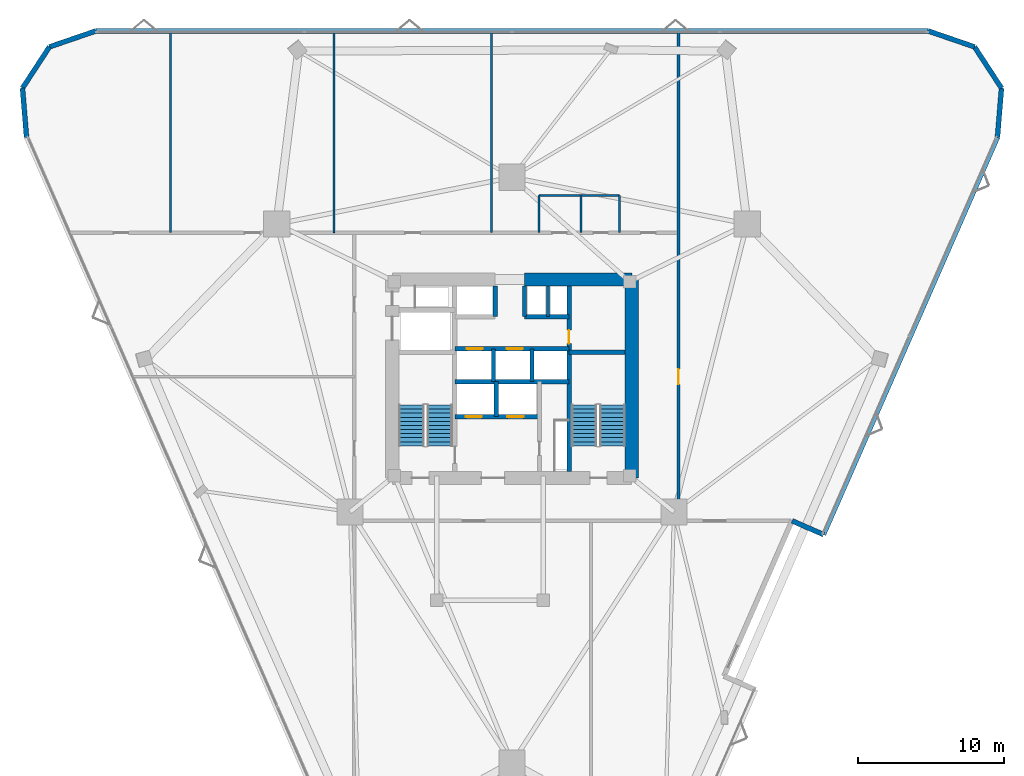
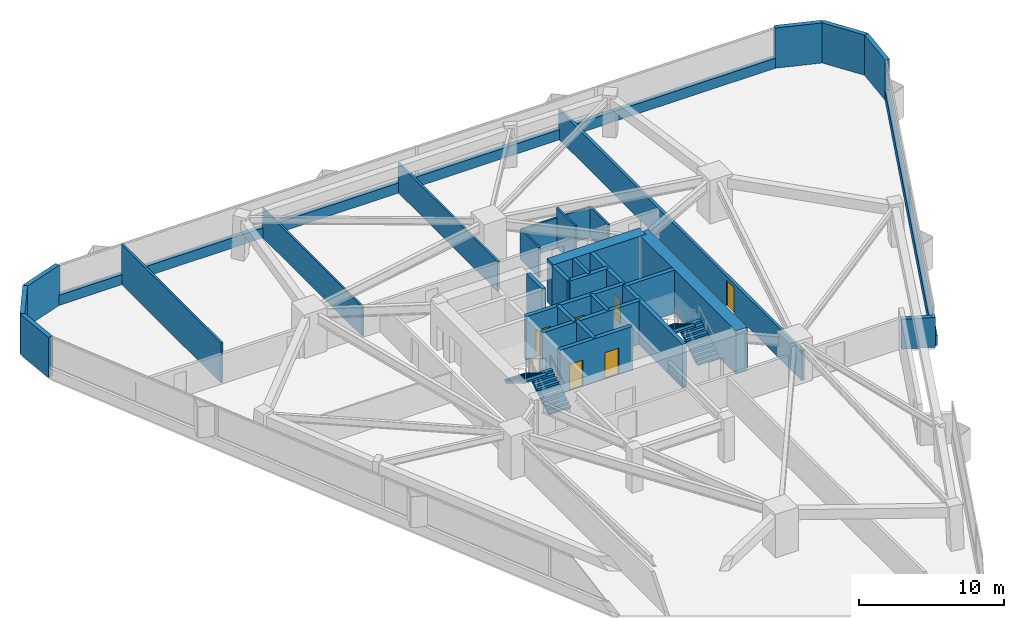
# One storey, part 13 of 14: 31 walls, 6 doors, 4 stair flights, 6 openings, 2 elements without a shape of their own.
"""IFC4 building model written with IfcOpenShell, lengths in metres."""

from ifc_helpers import new_model, si_unit, direction, frame, frame_2d, origin, place, context, subcontext, project, spatial, polyline, rectangle, outline, extrude, material, layer, layer_set, type_object, element, fill, aggregate, save


model = new_model("IFC4")

# Units and contexts
model_context = context("Model", 3, precision=1e-05, world=origin(), true_north=direction((0.0, 1.0)))
body_context = subcontext(model_context, "Body", "Model", "MODEL_VIEW")
ifc_project = project(units=[si_unit("LENGTHUNIT", "METRE"), si_unit("AREAUNIT", "SQUARE_METRE"), si_unit("VOLUMEUNIT", "CUBIC_METRE"), si_unit("PLANEANGLEUNIT", "RADIAN"), si_unit("MASSUNIT", "GRAM", prefix="KILO")], contexts=[model_context])

# Site, building, storey
site_placement = place(None, origin())
site = spatial("IfcSite", under=ifc_project, at=site_placement, CompositionType="ELEMENT")
building_placement = place(site_placement, origin())
building = spatial("IfcBuilding", under=site, at=building_placement, Name="Talyreon Biosciences Tower", CompositionType="ELEMENT")
storey_placement = place(building_placement, frame((0.0, 0.0, 52.0)))
storey = spatial("IfcBuildingStorey", under=building, at=storey_placement, Name="L13", CompositionType="ELEMENT", Elevation=52.0)

# Walls
ifc_material_1 = material(Name="Concrete C50/60", Category="concrete")
ifc_layer_1 = layer(ifc_material_1, 0.219970703125)
ifc_layer_set_1 = layer_set([ifc_layer_1], Name="Concrete C50/60")
wall_type_1 = type_object("IfcWallType", Name="CoreShearWall_220", PredefinedType="SHEAR", material=ifc_layer_set_1)
wall_1_placement = place(storey_placement, frame((68.4599609375, 72.25, 0.0), z_axis=(0.0, 0.0, 1.0), x_axis=(0.0, 1.0, 0.0)))
element("IfcWall", 1, at=wall_1_placement, inside=storey, type_object=wall_type_1, Name="L13 Core Shaft Wall SWPHD", PredefinedType="SHEAR", context=body_context, shape_type="SweptSolid", body=[
    extrude(rectangle(XDim=2.10009765625, YDim=0.219970703125, at=frame_2d((1.050048828125, 0.0))), origin(), (0.0, 0.0, 1.0), 3.64990234375),
])
ifc_layer_2 = layer(ifc_material_1, 0.280029296875)
ifc_layer_set_2 = layer_set([ifc_layer_2], Name="Concrete C50/60")
wall_type_2 = type_object("IfcWallType", Name="CoreShearWall_280", PredefinedType="SHEAR", material=ifc_layer_set_2)
wall_2_placement = place(storey_placement, frame((64.919921875, 65.39990234375, 0.0), z_axis=(0.0, 0.0, 1.0), x_axis=(0.0, 1.0, 0.0)))
element("IfcWall", 2, at=wall_2_placement, inside=storey, type_object=wall_type_2, Name="L13 Core Shaft Wall SWSHD1", PredefinedType="SHEAR", context=body_context, shape_type="SweptSolid", body=[
    extrude(rectangle(XDim=2.400146484375, YDim=0.280029296875, at=frame_2d((1.2001953125, 0.0))), origin(), (0.0, 0.0, 1.0), 3.64990234375),
])
for number, where, z_axis, x_axis, name in (
    (3, (64.85009765625, 72.25, 0.0), (0.0, 0.0, 1.0), (0.0, 1.0, 0.0), "L13 Core Shaft Wall SWTHW"),
    (4, (66.85009765625, 72.25, 0.0), (0.0, 0.0, 1.0), (0.0, 1.0, 0.0), "L13 Core Shaft Wall SWTHE"),
):
    element("IfcWall", number, at=place(storey_placement, frame(where, z_axis=z_axis, x_axis=x_axis)), inside=storey, type_object=wall_type_2, Name=name, PredefinedType="SHEAR", context=body_context, shape_type="SweptSolid", body=[
        extrude(rectangle(XDim=2.10009765625, YDim=0.280029296875, at=frame_2d((1.050048828125, 0.0))), origin(), (0.0, 0.0, 1.0), 3.64990234375),
    ])
for number, where, z_axis, x_axis, name in (
    (5, (64.719970703125, 67.800048828125, 0.0), (0.0, 0.0, 1.0), (0.0, 1.0, 0.0), "L13 Core Shaft Wall SWPLD"),
    (6, (67.3798828125, 67.800048828125, 0.0), (0.0, 0.0, 1.0), (0.0, 1.0, 0.0), "L13 Core Shaft Wall SWPMD"),
):
    element("IfcWall", number, at=place(storey_placement, frame(where, z_axis=z_axis, x_axis=x_axis)), inside=storey, type_object=wall_type_2, Name=name, PredefinedType="SHEAR", context=body_context, shape_type="SweptSolid", body=[
        extrude(rectangle(XDim=2.25, YDim=0.280029296875, at=frame_2d((1.125, 0.0))), origin(), (0.0, 0.0, 1.0), 3.64990234375),
    ])

# Wall, opening, door
ifc_layer_3 = layer(ifc_material_1, 0.320068359375)
ifc_layer_set_3 = layer_set([ifc_layer_3], Name="Concrete C50/60")
wall_type_3 = type_object("IfcWallType", Name="CoreShearWall_320", PredefinedType="SHEAR", material=ifc_layer_set_3)
wall_3_placement = place(storey_placement, frame((69.909912109375, 61.64990234375, 0.0), z_axis=(0.0, 0.0, 1.0), x_axis=(0.0, 1.0, 0.0)))
wall_3 = element("IfcWall", 7, at=wall_3_placement, inside=storey, type_object=wall_type_3, Name="L13 Core Shaft Wall SW2W", PredefinedType="SHEAR", context=body_context, shape_type="SweptSolid", body=[
    extrude(rectangle(XDim=12.7001953125, YDim=0.320068359375, at=frame_2d((6.35009765625, 0.0))), origin(), (0.0, 0.0, 1.0), 3.64990234375),
])
opening_1_placement = place(wall_3_placement, frame((8.75, 0.0, 0.0)))
opening_1 = element("IfcOpeningElement", 8, at=opening_1_placement, cuts=wall_3, Name="Opening DR-L13-CSRV", PredefinedType="OPENING", context=body_context, shape_type="SweptSolid", body=[
    extrude(rectangle(XDim=0.919921875, YDim=2.050048828125, at=frame_2d((0.4599609375, 1.02490234375))), frame((0.0, 0.169921875, 0.0), z_axis=(0.0, -1.0, 0.0), x_axis=(1.0, 0.0, 0.0)), (0.0, 0.0, 1.0), 0.340087890625),
])
ifc_material_2 = material(Name="Painted steel fire-rated riser door", Category="steel")
door_type_1 = type_object("IfcDoorType", Name="RiserPlantAccessDoor_920x2050", OperationType="NOTDEFINED", PredefinedType="DOOR", material=ifc_material_2)
door_1_placement = place(opening_1_placement, origin())
door_1 = element("IfcDoor", 9, at=door_1_placement, inside=storey, type_object=door_type_1, Name="L13 Core Door DR-L13-CSRV", OperationType="SINGLE_SWING_RIGHT", OverallHeight=2.050048828125, OverallWidth=0.919921875, PredefinedType="DOOR", context=body_context, shape_type="SweptSolid", body=[
    extrude(rectangle(XDim=0.919921875, YDim=2.050048828125, at=frame_2d((0.4599609375, 1.02490234375))), frame((0.0, 0.02490234375, 0.0), z_axis=(0.0, -1.0, 0.0), x_axis=(1.0, 0.0, 0.0)), (0.0, 0.0, 1.0), 0.050048828125),
])
fill(opening_1, door_1)

# Walls
wall_4_placement = place(storey_placement, frame((69.909912109375, 69.81005859375, 0.0), z_axis=(0.0, 0.0, 1.0), x_axis=(1.0, 0.0, 0.0)))
element("IfcWall", 10, at=wall_4_placement, inside=storey, type_object=wall_type_3, Name="L13 Core Shaft Wall SW2N", PredefinedType="SHEAR", context=body_context, shape_type="SweptSolid", body=[
    extrude(rectangle(XDim=3.840087890625, YDim=0.320068359375, at=frame_2d((1.919921875, 0.0))), origin(), (0.0, 0.0, 1.0), 3.64990234375),
])
wall_5_placement = place(storey_placement, frame((62.090087890625, 67.800048828125, 0.0), z_axis=(0.0, 0.0, 1.0), x_axis=(1.0, 0.0, 0.0)))
element("IfcWall", 11, at=wall_5_placement, inside=storey, type_object=wall_type_3, Name="L13 Core Shaft Wall SWSHM", PredefinedType="SHEAR", context=body_context, shape_type="SweptSolid", body=[
    extrude(rectangle(XDim=7.81982421875, YDim=0.320068359375, at=frame_2d((3.909912109375, 0.0))), origin(), (0.0, 0.0, 1.0), 3.64990234375),
])

# Wall, openings, doors
wall_6_placement = place(storey_placement, frame((62.090087890625, 70.050048828125, 0.0), z_axis=(0.0, 0.0, 1.0), x_axis=(1.0, 0.0, 0.0)))
wall_6 = element("IfcWall", 12, at=wall_6_placement, inside=storey, type_object=wall_type_3, Name="L13 Core Shaft Wall SWSPN", PredefinedType="SHEAR", context=body_context, shape_type="SweptSolid", body=[
    extrude(rectangle(XDim=7.81982421875, YDim=0.320068359375, at=frame_2d((3.909912109375, 0.0))), origin(), (0.0, 0.0, 1.0), 3.64990234375),
])
opening_2_placement = place(wall_6_placement, frame((0.800048828125, 0.0, 0.0)))
opening_2 = element("IfcOpeningElement", 13, at=opening_2_placement, cuts=wall_6, Name="Opening LD-L13-PL1", PredefinedType="OPENING", context=body_context, shape_type="SweptSolid", body=[
    extrude(rectangle(XDim=1.10009765625, YDim=2.199951171875, at=frame_2d((0.550048828125, 1.10009765625))), frame((0.0, 0.169921875, 0.0), z_axis=(0.0, -1.0, 0.0), x_axis=(1.0, 0.0, 0.0)), (0.0, 0.0, 1.0), 0.340087890625),
])
opening_3_placement = place(wall_6_placement, frame((3.550048828125, 0.0, 0.0)))
opening_3 = element("IfcOpeningElement", 14, at=opening_3_placement, cuts=wall_6, Name="Opening LD-L13-PL2", PredefinedType="OPENING", context=body_context, shape_type="SweptSolid", body=[
    extrude(rectangle(XDim=1.10009765625, YDim=2.199951171875, at=frame_2d((0.550048828125, 1.10009765625))), frame((0.0, 0.169921875, 0.0), z_axis=(0.0, -1.0, 0.0), x_axis=(1.0, 0.0, 0.0)), (0.0, 0.0, 1.0), 0.340087890625),
])
ifc_material_3 = material(Name="Brushed stainless-steel lift landing door", Category="steel")
door_type_2 = type_object("IfcDoorType", Name="LiftSlidingLandingDoor_1100x2200", OperationType="SLIDING_TO_LEFT", PredefinedType="DOOR", material=ifc_material_3)
door_2_placement = place(opening_2_placement, origin())
door_2 = element("IfcDoor", 15, at=door_2_placement, inside=storey, type_object=door_type_2, Name="L13 Core Door LD-L13-PL1", OperationType="SLIDING_TO_LEFT", OverallHeight=2.199951171875, OverallWidth=1.10009765625, PredefinedType="DOOR", context=body_context, shape_type="SweptSolid", body=[
    extrude(rectangle(XDim=1.10009765625, YDim=2.199951171875, at=frame_2d((0.550048828125, 1.10009765625))), frame((0.0, 0.02490234375, 0.0), z_axis=(0.0, -1.0, 0.0), x_axis=(1.0, 0.0, 0.0)), (0.0, 0.0, 1.0), 0.050048828125),
])
fill(opening_2, door_2)
door_3_placement = place(opening_3_placement, origin())
door_3 = element("IfcDoor", 16, at=door_3_placement, inside=storey, type_object=door_type_2, Name="L13 Core Door LD-L13-PL2", OperationType="SLIDING_TO_LEFT", OverallHeight=2.199951171875, OverallWidth=1.10009765625, PredefinedType="DOOR", context=body_context, shape_type="SweptSolid", body=[
    extrude(rectangle(XDim=1.10009765625, YDim=2.199951171875, at=frame_2d((0.550048828125, 1.10009765625))), frame((0.0, 0.02490234375, 0.0), z_axis=(0.0, -1.0, 0.0), x_axis=(1.0, 0.0, 0.0)), (0.0, 0.0, 1.0), 0.050048828125),
])
fill(opening_3, door_3)

# Wall
wall_7_placement = place(storey_placement, frame((66.85009765625, 72.25, 0.0), z_axis=(0.0, 0.0, 1.0), x_axis=(1.0, 0.0, 0.0)))
element("IfcWall", 17, at=wall_7_placement, inside=storey, type_object=wall_type_3, Name="L13 Core Shaft Wall SWNPE", PredefinedType="SHEAR", context=body_context, shape_type="SweptSolid", body=[
    extrude(rectangle(XDim=3.059814453125, YDim=0.320068359375, at=frame_2d((1.52978515625, 0.0))), origin(), (0.0, 0.0, 1.0), 3.64990234375),
])

# Wall, openings, doors
wall_8_placement = place(storey_placement, frame((62.090087890625, 65.39990234375, 0.0), z_axis=(0.0, 0.0, 1.0), x_axis=(1.0, 0.0, 0.0)))
wall_8 = element("IfcWall", 18, at=wall_8_placement, inside=storey, type_object=wall_type_3, Name="L13 Core Shaft Wall SWFFN", PredefinedType="SHEAR", context=body_context, shape_type="SweptSolid", body=[
    extrude(rectangle(XDim=5.789794921875, YDim=0.320068359375, at=frame_2d((2.89501953125, 0.0))), origin(), (0.0, 0.0, 1.0), 3.64990234375),
])
opening_4_placement = place(wall_8_placement, frame((0.75, 0.0, 0.0)))
opening_4 = element("IfcOpeningElement", 19, at=opening_4_placement, cuts=wall_8, Name="Opening LD-L13-FL1", PredefinedType="OPENING", context=body_context, shape_type="SweptSolid", body=[
    extrude(rectangle(XDim=1.10009765625, YDim=2.199951171875, at=frame_2d((0.550048828125, 1.10009765625))), frame((0.0, 0.169921875, 0.0), z_axis=(0.0, -1.0, 0.0), x_axis=(1.0, 0.0, 0.0)), (0.0, 0.0, 1.0), 0.340087890625),
])
opening_5_placement = place(wall_8_placement, frame((3.60009765625, 0.0, 0.0)))
opening_5 = element("IfcOpeningElement", 20, at=opening_5_placement, cuts=wall_8, Name="Opening LD-L13-FL2", PredefinedType="OPENING", context=body_context, shape_type="SweptSolid", body=[
    extrude(rectangle(XDim=1.10009765625, YDim=2.199951171875, at=frame_2d((0.550048828125, 1.10009765625))), frame((0.0, 0.169921875, 0.0), z_axis=(0.0, -1.0, 0.0), x_axis=(1.0, 0.0, 0.0)), (0.0, 0.0, 1.0), 0.340087890625),
])
door_4_placement = place(opening_4_placement, origin())
door_4 = element("IfcDoor", 21, at=door_4_placement, inside=storey, type_object=door_type_2, Name="L13 Core Door LD-L13-FL1", OperationType="SLIDING_TO_LEFT", OverallHeight=2.199951171875, OverallWidth=1.10009765625, PredefinedType="DOOR", context=body_context, shape_type="SweptSolid", body=[
    extrude(rectangle(XDim=1.10009765625, YDim=2.199951171875, at=frame_2d((0.550048828125, 1.10009765625))), frame((0.0, 0.02490234375, 0.0), z_axis=(0.0, -1.0, 0.0), x_axis=(1.0, 0.0, 0.0)), (0.0, 0.0, 1.0), 0.050048828125),
])
fill(opening_4, door_4)
door_5_placement = place(opening_5_placement, origin())
door_5 = element("IfcDoor", 22, at=door_5_placement, inside=storey, type_object=door_type_2, Name="L13 Core Door LD-L13-FL2", OperationType="SLIDING_TO_LEFT", OverallHeight=2.199951171875, OverallWidth=1.10009765625, PredefinedType="DOOR", context=body_context, shape_type="SweptSolid", body=[
    extrude(rectangle(XDim=1.10009765625, YDim=2.199951171875, at=frame_2d((0.550048828125, 1.10009765625))), frame((0.0, 0.02490234375, 0.0), z_axis=(0.0, -1.0, 0.0), x_axis=(1.0, 0.0, 0.0)), (0.0, 0.0, 1.0), 0.050048828125),
])
fill(opening_5, door_5)

# Walls
ifc_material_4 = material(Name="Concrete C60/75", Category="concrete")
ifc_layer_4 = layer(ifc_material_4, 0.89990234375)
ifc_layer_set_4 = layer_set([ifc_layer_4], Name="Concrete C60/75")
wall_type_4 = type_object("IfcWallType", Name="CoreShearWall_900", PredefinedType="SHEAR", material=ifc_layer_set_4)
wall_9_placement = place(storey_placement, frame((74.199951171875, 61.199951171875, 0.0), z_axis=(0.0, 0.0, 1.0), x_axis=(0.0, 1.0, 0.0)))
element("IfcWall", 23, at=wall_9_placement, inside=storey, type_object=wall_type_4, Name="L13 Core Shear Wall E", PredefinedType="SHEAR", context=body_context, shape_type="SweptSolid", body=[
    extrude(rectangle(XDim=13.60009765625, YDim=0.89990234375, at=frame_2d((6.800048828125, 0.0))), origin(), (0.0, 0.0, 1.0), 3.64990234375),
])
wall_10_placement = place(storey_placement, frame((74.199951171875, 74.800048828125, 0.0), z_axis=(0.0, 0.0, 1.0), x_axis=(-1.0, 0.0, 0.0)))
element("IfcWall", 24, at=wall_10_placement, inside=storey, type_object=wall_type_4, Name="L13 Core Shear Wall NE", PredefinedType="SHEAR", context=body_context, shape_type="SweptSolid", body=[
    extrude(rectangle(XDim=7.349853515625, YDim=0.89990234375, at=frame_2d((3.6748046875, 0.0))), origin(), (0.0, 0.0, 1.0), 3.64990234375),
])

# Wall, opening, door
ifc_material_5 = material(Name="Gypsum fireboard acoustic stud", Category="gypsum")
ifc_layer_5 = layer(ifc_material_5, 0.219970703125)
ifc_layer_set_5 = layer_set([ifc_layer_5], Name="Gypsum fireboard acoustic stud")
wall_type_5 = type_object("IfcWallType", Name="CorridorRatedPartition_220", PredefinedType="PARTITIONING", material=ifc_layer_set_5)
wall_11_placement = place(storey_placement, frame((77.39990234375, 58.280029296875, 0.0), z_axis=(0.0, 0.0, 1.0), x_axis=(0.0, 1.0, 0.0)))
wall_11 = element("IfcWall", 25, at=wall_11_placement, inside=storey, type_object=wall_type_5, Name="L13 Interior Wall IW-L13-COR-E", PredefinedType="PARTITIONING", context=body_context, shape_type="SweptSolid", body=[
    extrude(rectangle(XDim=33.45556640625, YDim=0.219970703125, at=frame_2d((16.727783203125, 0.0))), origin(), (0.0, 0.0, 1.0), 2.5048828125),
])
opening_6_placement = place(wall_11_placement, frame((9.3349609375, 0.0, 0.0)))
opening_6 = element("IfcOpeningElement", 26, at=opening_6_placement, cuts=wall_11, Name="Opening DR-L13-E1A", PredefinedType="OPENING", context=body_context, shape_type="SweptSolid", body=[
    extrude(rectangle(XDim=1.050048828125, YDim=2.14990234375, at=frame_2d((0.52490234375, 1.074951171875))), frame((0.0, 0.119873046875, 0.0), z_axis=(0.0, -1.0, 0.0), x_axis=(1.0, 0.0, 0.0)), (0.0, 0.0, 1.0), 0.239990234375),
])
ifc_material_6 = material(Name="Acoustic timber-core laboratory door", Category="wood")
door_type_3 = type_object("IfcDoorType", Name="DryLabSingleDoor_1050x2150", OperationType="NOTDEFINED", PredefinedType="DOOR", material=ifc_material_6)
door_6_placement = place(opening_6_placement, origin())
door_6 = element("IfcDoor", 27, at=door_6_placement, inside=storey, type_object=door_type_3, Name="L13 Interior Door DR-L13-E1A", OperationType="SINGLE_SWING_RIGHT", OverallHeight=2.14990234375, OverallWidth=1.050048828125, PredefinedType="DOOR", context=body_context, shape_type="SweptSolid", body=[
    extrude(rectangle(XDim=1.050048828125, YDim=2.14990234375, at=frame_2d((0.52490234375, 1.074951171875))), frame((0.0, 0.02490234375, 0.0), z_axis=(0.0, -1.0, 0.0), x_axis=(1.0, 0.0, 0.0)), (0.0, 0.0, 1.0), 0.050048828125),
])
fill(opening_6, door_6)

# Walls
ifc_material_7 = material(Name="Gypsum acoustic stud partition", Category="gypsum")
ifc_layer_6 = layer(ifc_material_7, 0.159912109375)
ifc_layer_set_6 = layer_set([ifc_layer_6], Name="Gypsum acoustic stud partition")
wall_type_6 = type_object("IfcWallType", Name="LabSeparationPartition_160", PredefinedType="PARTITIONING", material=ifc_layer_set_6)
wall_12_placement = place(storey_placement, frame((42.616943359375, 78.0, 0.0), z_axis=(0.0, 0.0, 1.0), x_axis=(0.0, 1.0, 0.0)))
element("IfcWall", 28, at=wall_12_placement, inside=storey, type_object=wall_type_6, Name="L13 Interior Wall IW-L13-NDIV1", PredefinedType="PARTITIONING", context=body_context, shape_type="SweptSolid", body=[
    extrude(rectangle(XDim=13.735595703125, YDim=0.159912109375, at=frame_2d((6.86767578125, 0.0))), origin(), (0.0, 0.0, 1.0), 3.375),
])
wall_13_placement = place(storey_placement, frame((64.60009765625, 78.0, 0.0), z_axis=(0.0, 0.0, 1.0), x_axis=(0.0, 1.0, 0.0)))
element("IfcWall", 29, at=wall_13_placement, inside=storey, type_object=wall_type_6, Name="L13 Interior Wall IW-L13-NDIV3", PredefinedType="PARTITIONING", context=body_context, shape_type="SweptSolid", body=[
    extrude(rectangle(XDim=13.735595703125, YDim=0.159912109375, at=frame_2d((6.86767578125, 0.0))), origin(), (0.0, 0.0, 1.0), 2.5048828125),
])
ifc_layer_7 = layer(ifc_material_7, 0.1298828125)
ifc_layer_set_7 = layer_set([ifc_layer_7], Name="Gypsum acoustic stud partition")
wall_type_7 = type_object("IfcWallType", Name="OfficeWriteupPartition_130", PredefinedType="PARTITIONING", material=ifc_layer_set_7)
wall_14_placement = place(storey_placement, frame((53.81103515625, 78.0, 0.0), z_axis=(0.0, 0.0, 1.0), x_axis=(0.0, 1.0, 0.0)))
element("IfcWall", 30, at=wall_14_placement, inside=storey, type_object=wall_type_7, Name="L13 Interior Wall IW-L13-NDIV2", PredefinedType="PARTITIONING", context=body_context, shape_type="SweptSolid", body=[
    extrude(rectangle(XDim=13.735595703125, YDim=0.1298828125, at=frame_2d((6.86767578125, 0.0))), origin(), (0.0, 0.0, 1.0), 2.5048828125),
])
ifc_material_8 = material(Name="Precast concrete C45/55", Category="concrete")
ifc_layer_8 = layer(ifc_material_8, 0.340087890625)
ifc_layer_set_8 = layer_set([ifc_layer_8], Name="Precast concrete C45/55")
wall_type_8 = type_object("IfcWallType", Name="PrecastConcreteSpandrelWall_340", PredefinedType="STANDARD", material=ifc_layer_set_8)
wall_15_placement = place(storey_placement, frame((32.755859375, 84.534912109375, 0.0), z_axis=(0.0, 0.0, 1.0), x_axis=(-0.082010022953, 0.996631504687, 0.0)))
element("IfcWall", 31, at=wall_15_placement, inside=storey, type_object=wall_type_8, Name="L13 Rounded-Corner Concrete Pier 00", PredefinedType="STANDARD", context=body_context, shape_type="SweptSolid", body=[
    extrude(rectangle(XDim=3.3759765625, YDim=0.340087890625, at=frame_2d((1.68798828125, 0.0))), origin(), (0.0, 0.0, 1.0), 3.375),
])
wall_16_placement = place(storey_placement, frame((32.47900390625, 87.8994140625, 0.0), z_axis=(0.0, 0.0, 1.0), x_axis=(0.547200646652, 0.837001464935, 0.0)))
element("IfcWall", 32, at=wall_16_placement, inside=storey, type_object=wall_type_8, Name="L13 Rounded-Corner Concrete Pier 01", PredefinedType="STANDARD", context=body_context, shape_type="SweptSolid", body=[
    extrude(rectangle(XDim=3.375732421875, YDim=0.340087890625, at=frame_2d((1.68798828125, 0.0))), origin(), (0.0, 0.0, 1.0), 3.375),
])
wall_17_placement = place(storey_placement, frame((34.326171875, 90.724853515625, 0.0), z_axis=(0.0, 0.0, 1.0), x_axis=(0.945840034207, 0.324633069314, 0.0)))
element("IfcWall", 33, at=wall_17_placement, inside=storey, type_object=wall_type_8, Name="L13 Rounded-Corner Concrete Pier 02", PredefinedType="STANDARD", context=body_context, shape_type="SweptSolid", body=[
    extrude(rectangle(XDim=3.3759765625, YDim=0.340087890625, at=frame_2d((1.68798828125, 0.0))), origin(), (0.0, 0.0, 1.0), 3.375),
])
wall_18_placement = place(storey_placement, frame((37.519287109375, 91.82080078125, 0.0), z_axis=(0.0, 0.0, 1.0), x_axis=(1.0, 0.0, 0.0)))
element("IfcWall", 34, at=wall_18_placement, inside=storey, type_object=wall_type_8, Name="L13 Expressed Concrete Sill Wall 03", PredefinedType="STANDARD", context=body_context, shape_type="SweptSolid", body=[
    extrude(rectangle(XDim=56.96142578125, YDim=0.340087890625, at=frame_2d((28.480712890625, 0.0))), origin(), (0.0, 0.0, 1.0), 0.85009765625),
])
wall_19_placement = place(storey_placement, frame((94.480712890625, 91.82080078125, 0.0), z_axis=(0.0, 0.0, 1.0), x_axis=(0.945840034207, -0.324633069314, 0.0)))
element("IfcWall", 35, at=wall_19_placement, inside=storey, type_object=wall_type_8, Name="L13 Rounded-Corner Concrete Pier 04", PredefinedType="STANDARD", context=body_context, shape_type="SweptSolid", body=[
    extrude(rectangle(XDim=3.3759765625, YDim=0.340087890625, at=frame_2d((1.68798828125, 0.0))), origin(), (0.0, 0.0, 1.0), 3.375),
])
wall_20_placement = place(storey_placement, frame((97.673828125, 90.724853515625, 0.0), z_axis=(0.0, 0.0, 1.0), x_axis=(0.547200646652, -0.837001464935, 0.0)))
element("IfcWall", 36, at=wall_20_placement, inside=storey, type_object=wall_type_8, Name="L13 Rounded-Corner Concrete Pier 05", PredefinedType="STANDARD", context=body_context, shape_type="SweptSolid", body=[
    extrude(rectangle(XDim=3.375732421875, YDim=0.340087890625, at=frame_2d((1.68798828125, 0.0))), origin(), (0.0, 0.0, 1.0), 3.375),
])
wall_21_placement = place(storey_placement, frame((99.52099609375, 87.8994140625, 0.0), z_axis=(0.0, 0.0, 1.0), x_axis=(-0.082010022953, -0.996631504687, 0.0)))
element("IfcWall", 37, at=wall_21_placement, inside=storey, type_object=wall_type_8, Name="L13 Rounded-Corner Concrete Pier 06", PredefinedType="STANDARD", context=body_context, shape_type="SweptSolid", body=[
    extrude(rectangle(XDim=3.3759765625, YDim=0.340087890625, at=frame_2d((1.68798828125, 0.0))), origin(), (0.0, 0.0, 1.0), 3.375),
])
wall_22_placement = place(storey_placement, frame((99.244140625, 84.534912109375, 0.0), z_axis=(0.0, 0.0, 1.0), x_axis=(-0.401102097931, -0.916033354761, 0.0)))
element("IfcWall", 38, at=wall_22_placement, inside=storey, type_object=wall_type_8, Name="L13 Expressed Concrete Sill Wall 07", PredefinedType="STANDARD", context=body_context, shape_type="SweptSolid", body=[
    extrude(rectangle(XDim=29.703369140625, YDim=0.340087890625, at=frame_2d((14.8515625, 0.0))), origin(), (0.0, 0.0, 1.0), 0.85009765625),
])
wall_23_placement = place(storey_placement, frame((87.330078125, 57.32568359375, 0.0), z_axis=(0.0, 0.0, 1.0), x_axis=(-0.916059542308, 0.401042285733, 0.0)))
element("IfcWall", 39, at=wall_23_placement, inside=storey, type_object=wall_type_8, Name="L13 Terrace Backing Concrete Wall 08", PredefinedType="STANDARD", context=body_context, shape_type="SweptSolid", body=[
    extrude(rectangle(XDim=2.349853515625, YDim=0.340087890625, at=frame_2d((1.1748046875, 0.0))), origin(), (0.0, 0.0, 1.0), 2.5048828125),
])
ifc_material_9 = material(Name="Moisture-resistant cement-board stud", Category="gypsum")
ifc_layer_9 = layer(ifc_material_9, 0.14501953125)
ifc_layer_set_9 = layer_set([ifc_layer_9], Name="Moisture-resistant cement-board stud")
wall_type_9 = type_object("IfcWallType", Name="WetRoomPartition_145", PredefinedType="PARTITIONING", material=ifc_layer_set_9)
wall_24_placement = place(storey_placement, frame((67.85009765625, 78.0, 0.0), z_axis=(0.0, 0.0, 1.0), x_axis=(0.0, 1.0, 0.0)))
element("IfcWall", 40, at=wall_24_placement, inside=storey, type_object=wall_type_9, Name="L13 Interior Wall IW-L13-WCL", PredefinedType="PARTITIONING", context=body_context, shape_type="SweptSolid", body=[
    extrude(rectangle(XDim=2.550048828125, YDim=0.14501953125, at=frame_2d((1.27490234375, 0.0))), origin(), (0.0, 0.0, 1.0), 2.554931640625),
])
wall_25_placement = place(storey_placement, frame((70.72509765625, 78.0, 0.0), z_axis=(0.0, 0.0, 1.0), x_axis=(0.0, 1.0, 0.0)))
element("IfcWall", 41, at=wall_25_placement, inside=storey, type_object=wall_type_9, Name="L13 Interior Wall IW-L13-WCM", PredefinedType="PARTITIONING", context=body_context, shape_type="SweptSolid", body=[
    extrude(rectangle(XDim=2.550048828125, YDim=0.14501953125, at=frame_2d((1.27490234375, 0.0))), origin(), (0.0, 0.0, 1.0), 3.375),
])
wall_26_placement = place(storey_placement, frame((73.35009765625, 78.0, 0.0), z_axis=(0.0, 0.0, 1.0), x_axis=(0.0, 1.0, 0.0)))
element("IfcWall", 42, at=wall_26_placement, inside=storey, type_object=wall_type_9, Name="L13 Interior Wall IW-L13-WCR", PredefinedType="PARTITIONING", context=body_context, shape_type="SweptSolid", body=[
    extrude(rectangle(XDim=2.550048828125, YDim=0.14501953125, at=frame_2d((1.27490234375, 0.0))), origin(), (0.0, 0.0, 1.0), 2.554931640625),
])
wall_27_placement = place(storey_placement, frame((67.85009765625, 80.550048828125, 0.0), z_axis=(0.0, 0.0, 1.0), x_axis=(1.0, 0.0, 0.0)))
element("IfcWall", 43, at=wall_27_placement, inside=storey, type_object=wall_type_9, Name="L13 Interior Wall IW-L13-WCT", PredefinedType="PARTITIONING", context=body_context, shape_type="SweptSolid", body=[
    extrude(rectangle(XDim=5.5, YDim=0.14501953125, at=frame_2d((2.75, 0.0))), origin(), (0.0, 0.0, 1.0), 2.554931640625),
])

# Stair, stair flights
ifc_material_10 = material(Name="Concrete C40/50", Category="concrete")
stair_type = type_object("IfcStairType", Name="DoglegEscapeStair_3650", PredefinedType="HALF_TURN_STAIR", material=ifc_material_10)
stair_1_placement = place(storey_placement, origin())
stair_1 = element("IfcStair", 44, at=stair_1_placement, inside=storey, type_object=stair_type, Name="L13 Core Escape Stair 1", PredefinedType="HALF_TURN_STAIR")
stair_flight_type = type_object("IfcStairFlightType", Name="PrecastStairFlight_3650", PredefinedType="STRAIGHT", material=ifc_material_10)
stair_flight_1_placement = place(storey_placement, frame((61.06005859375, 63.39990234375, 0.0), z_axis=(0.0, 0.0, 1.0), x_axis=(0.0, 1.0, 0.0)))
stair_flight_1 = element("IfcStairFlight", 45, at=stair_flight_1_placement, type_object=stair_flight_type, Name="ST-1 flight 1", NumberOfRisers=11, NumberOfTreads=10, PredefinedType="STRAIGHT", RiserHeight=0.165909091, TreadLength=0.28, context=body_context, shape_type="SweptSolid", body=[
    extrude(outline(polyline([(0.0, 0.0), (0.0, 0.166015625), (0.280029296875, 0.166015625), (0.280029296875, 0.331787109375), (0.56005859375, 0.331787109375), (0.56005859375, 0.497802734375), (0.840087890625, 0.497802734375), (0.840087890625, 0.66357421875), (1.1201171875, 0.66357421875), (1.1201171875, 0.82958984375), (1.39990234375, 0.82958984375), (1.39990234375, 0.995361328125), (1.679931640625, 0.995361328125), (1.679931640625, 1.161376953125), (1.9599609375, 1.161376953125), (1.9599609375, 1.327392578125), (2.239990234375, 1.327392578125), (2.239990234375, 1.4931640625), (2.52001953125, 1.4931640625), (2.52001953125, 1.6591796875), (2.800048828125, 1.6591796875), (2.800048828125, 1.824951171875), (2.800048828125, 1.48486328125), (0.2939453125, 0.0), (0.0, 0.0)])), frame((0.0, 0.8701171875, 0.0), z_axis=(0.0, -1.0, 0.0), x_axis=(1.0, 0.0, 0.0)), (0.0, 0.0, 1.0), 1.739990234375),
])
stair_flight_2_placement = place(storey_placement, frame((59.1201171875, 66.199951171875, 1.824951171875), z_axis=(0.0, 0.0, 1.0), x_axis=(0.0, -1.0, 0.0)))
stair_flight_2 = element("IfcStairFlight", 46, at=stair_flight_2_placement, type_object=stair_flight_type, Name="ST-1 flight 2", NumberOfRisers=11, NumberOfTreads=10, PredefinedType="STRAIGHT", RiserHeight=0.165909091, TreadLength=0.28, context=body_context, shape_type="SweptSolid", body=[
    extrude(outline(polyline([(0.0, 0.0), (0.0, 0.166015625), (0.280029296875, 0.166015625), (0.280029296875, 0.331787109375), (0.56005859375, 0.331787109375), (0.56005859375, 0.497802734375), (0.840087890625, 0.497802734375), (0.840087890625, 0.66357421875), (1.1201171875, 0.66357421875), (1.1201171875, 0.82958984375), (1.39990234375, 0.82958984375), (1.39990234375, 0.995361328125), (1.679931640625, 0.995361328125), (1.679931640625, 1.161376953125), (1.9599609375, 1.161376953125), (1.9599609375, 1.327392578125), (2.239990234375, 1.327392578125), (2.239990234375, 1.4931640625), (2.52001953125, 1.4931640625), (2.52001953125, 1.6591796875), (2.800048828125, 1.6591796875), (2.800048828125, 1.824951171875), (2.800048828125, 1.48486328125), (0.2939453125, 0.0), (0.0, 0.0)])), frame((0.0, 0.8701171875, 0.0), z_axis=(0.0, -1.0, 0.0), x_axis=(1.0, 0.0, 0.0)), (0.0, 0.0, 1.0), 1.739990234375),
])
aggregate(stair_1, [stair_flight_1, stair_flight_2])

stair_2_placement = place(storey_placement, origin())
stair_2 = element("IfcStair", 47, at=stair_2_placement, inside=storey, type_object=stair_type, Name="L13 Core Escape Stair 2", PredefinedType="HALF_TURN_STAIR")
stair_flight_3_placement = place(storey_placement, frame((72.8798828125, 63.39990234375, 0.0), z_axis=(0.0, 0.0, 1.0), x_axis=(0.0, 1.0, 0.0)))
stair_flight_3 = element("IfcStairFlight", 48, at=stair_flight_3_placement, type_object=stair_flight_type, Name="ST-2 flight 1", NumberOfRisers=11, NumberOfTreads=10, PredefinedType="STRAIGHT", RiserHeight=0.165909091, TreadLength=0.28, context=body_context, shape_type="SweptSolid", body=[
    extrude(outline(polyline([(0.0, 0.0), (0.0, 0.166015625), (0.280029296875, 0.166015625), (0.280029296875, 0.331787109375), (0.56005859375, 0.331787109375), (0.56005859375, 0.497802734375), (0.840087890625, 0.497802734375), (0.840087890625, 0.66357421875), (1.1201171875, 0.66357421875), (1.1201171875, 0.82958984375), (1.39990234375, 0.82958984375), (1.39990234375, 0.995361328125), (1.679931640625, 0.995361328125), (1.679931640625, 1.161376953125), (1.9599609375, 1.161376953125), (1.9599609375, 1.327392578125), (2.239990234375, 1.327392578125), (2.239990234375, 1.4931640625), (2.52001953125, 1.4931640625), (2.52001953125, 1.6591796875), (2.800048828125, 1.6591796875), (2.800048828125, 1.824951171875), (2.800048828125, 1.48486328125), (0.2939453125, 0.0), (0.0, 0.0)])), frame((0.0, 0.8701171875, 0.0), z_axis=(0.0, -1.0, 0.0), x_axis=(1.0, 0.0, 0.0)), (0.0, 0.0, 1.0), 1.739990234375),
])
stair_flight_4_placement = place(storey_placement, frame((70.93994140625, 66.199951171875, 1.824951171875), z_axis=(0.0, 0.0, 1.0), x_axis=(0.0, -1.0, 0.0)))
stair_flight_4 = element("IfcStairFlight", 49, at=stair_flight_4_placement, type_object=stair_flight_type, Name="ST-2 flight 2", NumberOfRisers=11, NumberOfTreads=10, PredefinedType="STRAIGHT", RiserHeight=0.165909091, TreadLength=0.28, context=body_context, shape_type="SweptSolid", body=[
    extrude(outline(polyline([(0.0, 0.0), (0.0, 0.166015625), (0.280029296875, 0.166015625), (0.280029296875, 0.331787109375), (0.56005859375, 0.331787109375), (0.56005859375, 0.497802734375), (0.840087890625, 0.497802734375), (0.840087890625, 0.66357421875), (1.1201171875, 0.66357421875), (1.1201171875, 0.82958984375), (1.39990234375, 0.82958984375), (1.39990234375, 0.995361328125), (1.679931640625, 0.995361328125), (1.679931640625, 1.161376953125), (1.9599609375, 1.161376953125), (1.9599609375, 1.327392578125), (2.239990234375, 1.327392578125), (2.239990234375, 1.4931640625), (2.52001953125, 1.4931640625), (2.52001953125, 1.6591796875), (2.800048828125, 1.6591796875), (2.800048828125, 1.824951171875), (2.800048828125, 1.48486328125), (0.2939453125, 0.0), (0.0, 0.0)])), frame((0.0, 0.8701171875, 0.0), z_axis=(0.0, -1.0, 0.0), x_axis=(1.0, 0.0, 0.0)), (0.0, 0.0, 1.0), 1.739990234375),
])
aggregate(stair_2, [stair_flight_3, stair_flight_4])

save(model, "model.ifc")
